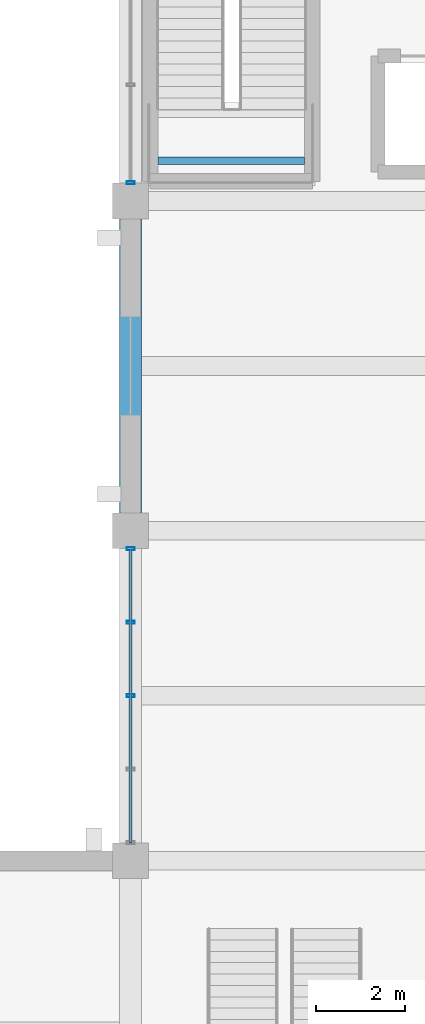
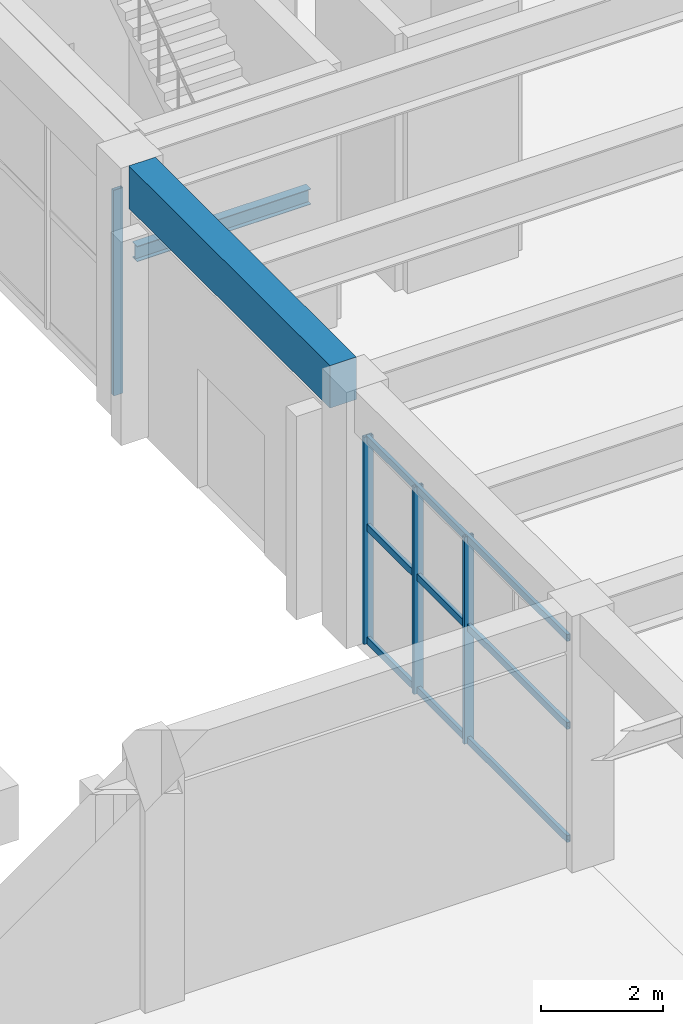
# One storey, part 39 of 140: 7 members, 2 beams, 2 elements without a shape of their own.
"""IFC4 building model written with IfcOpenShell, lengths in metres."""

from ifc_helpers import new_model, si_unit, direction, frame, origin, origin_2d, place, context, subcontext, project, spatial, rectangle, hollow_rectangle, i_section, extrude, material, material_profile, profile_set, type_object, element, aggregate, save


model = new_model("IFC4")

# Units and contexts
model_context = context("Model", 3, precision=1e-05, world=origin(), true_north=direction((0.0, 1.0)))
body_context = subcontext(model_context, "Body", "Model", "MODEL_VIEW")
ifc_project = project(units=[si_unit("LENGTHUNIT", "METRE"), si_unit("AREAUNIT", "SQUARE_METRE"), si_unit("VOLUMEUNIT", "CUBIC_METRE"), si_unit("PLANEANGLEUNIT", "RADIAN"), si_unit("MASSUNIT", "GRAM", prefix="KILO")], contexts=[model_context])

# Site, building, storey
site_placement = place(None, origin())
site = spatial("IfcSite", under=ifc_project, at=site_placement, CompositionType="ELEMENT")
building_placement = place(site_placement, origin())
building = spatial("IfcBuilding", under=site, at=building_placement, Name="Cimatlan Art Gallery", CompositionType="ELEMENT")
storey_placement = place(building_placement, origin())
storey = spatial("IfcBuildingStorey", under=building, at=storey_placement, Name="L00", CompositionType="ELEMENT", Elevation=0.0)

# Beams
ifc_material_1 = material(Name="Concrete C40/50", Category="concrete")
ifc_material_profile_1 = material_profile(ifc_material_1, rectangle(XDim=0.5, YDim=0.85009765625, at=origin_2d()), Name="RC500X850")
ifc_profile_set_1 = profile_set([ifc_material_profile_1], Name="Concrete C40/50")
beam_type_1 = type_object("IfcBeamType", Name="BM-RC-500X850", PredefinedType="BEAM", material=ifc_profile_set_1)
beam_1_placement = place(storey_placement, frame((74.89990234375, 53.89990234375, 4.7099609375), z_axis=(0.0, 1.0, 0.0), x_axis=(-1.0, 0.0, 0.0)))
element("IfcBeam", 1, at=beam_1_placement, inside=storey, type_object=beam_type_1, Name="BM-Y-L00-09-07", PredefinedType="BEAM", context=body_context, shape_type="SweptSolid", body=[
    extrude(rectangle(XDim=0.5, YDim=0.85009765625, at=origin_2d()), origin(), (0.0, 0.0, 1.0), 6.60009765625),
])
ifc_material_2 = material(Name="Steel ASTM A992 Grade 50", Category="steel")
ifc_material_profile_2 = material_profile(ifc_material_2, i_section(OverallWidth=0.1650390625, OverallDepth=0.31005859375, WebThickness=0.005859375, FlangeThickness=0.009765625, at=origin_2d()), Name="W12X26")
ifc_profile_set_2 = profile_set([ifc_material_profile_2], Name="Steel ASTM A992 Grade 50")
beam_type_2 = type_object("IfcBeamType", Name="BM-STL-W12X26", PredefinedType="JOIST", material=ifc_profile_set_2)
beam_2_placement = place(storey_placement, frame((75.514892578125, 61.800048828125, 2.324951171875), z_axis=(1.0, 0.0, 0.0), x_axis=(0.0, 1.0, 0.0)))
element("IfcBeam", 2, at=beam_2_placement, inside=storey, type_object=beam_type_2, Name="BM-STR-C6-L00-LH1", PredefinedType="JOIST", context=body_context, shape_type="SweptSolid", body=[
    extrude(i_section(OverallWidth=0.1650390625, OverallDepth=0.31005859375, WebThickness=0.005859375, FlangeThickness=0.009765625, at=origin_2d()), origin(), (0.0, 0.0, 1.0), 3.2900390625),
])

# Curtain wall, members
ifc_material_3 = material(Name="Anodised bronze unitised curtain wall")
curtain_wall_type_1 = type_object("IfcCurtainWallType", Name="CW-V-06592X04148-B4", PredefinedType="NOTDEFINED", material=ifc_material_3)
curtain_wall_1_placement = place(storey_placement, origin())
curtain_wall_1 = element("IfcCurtainWall", 3, at=curtain_wall_1_placement, inside=storey, type_object=curtain_wall_type_1, Name="CW-L00-09-06-W", PredefinedType="NOTDEFINED")
ifc_material_4 = material(Name="Anodised bronze aluminium 6063-T6", Category="aluminium")
ifc_material_profile_3 = material_profile(ifc_material_4, hollow_rectangle(XDim=0.06494140625, YDim=0.179931640625, WallThickness=0.00390625, at=origin_2d()), Name="ALU65X180X4")
ifc_profile_set_3 = profile_set([ifc_material_profile_3], Name="Anodised bronze aluminium 6063-T6")
member_type_1 = type_object("IfcMemberType", Name="CW-MUL-180", PredefinedType="MULLION", material=ifc_profile_set_3)
member_1_placement = place(storey_placement, frame((74.89990234375, 49.800048828125, 0.0), z_axis=(0.0, 0.0, 1.0), x_axis=(0.0, 1.0, 0.0)))
member_1 = element("IfcMember", 4, at=member_1_placement, type_object=member_type_1, Name="CW-L00-09-06-W-M3", PredefinedType="MULLION", context=body_context, shape_type="SweptSolid", body=[
    extrude(hollow_rectangle(XDim=0.06494140625, YDim=0.179931640625, WallThickness=0.00390625, at=origin_2d()), origin(), (0.0, 0.0, 1.0), 4.14794921875),
])
member_2_placement = place(storey_placement, frame((74.89990234375, 51.447998046875, 0.0), z_axis=(0.0, 0.0, 1.0), x_axis=(0.0, 1.0, 0.0)))
member_2 = element("IfcMember", 5, at=member_2_placement, type_object=member_type_1, Name="CW-L00-09-06-W-M4", PredefinedType="MULLION", context=body_context, shape_type="SweptSolid", body=[
    extrude(hollow_rectangle(XDim=0.06494140625, YDim=0.179931640625, WallThickness=0.00390625, at=origin_2d()), origin(), (0.0, 0.0, 1.0), 4.14794921875),
])
member_3_placement = place(storey_placement, frame((74.89990234375, 53.095947265625, 0.0), z_axis=(0.0, 0.0, 1.0), x_axis=(0.0, 1.0, 0.0)))
member_3 = element("IfcMember", 6, at=member_3_placement, type_object=member_type_1, Name="CW-L00-09-06-W-M5", PredefinedType="MULLION", context=body_context, shape_type="SweptSolid", body=[
    extrude(hollow_rectangle(XDim=0.06494140625, YDim=0.179931640625, WallThickness=0.00390625, at=origin_2d()), origin(), (0.0, 0.0, 1.0), 4.14794921875),
])

# Curtain wall, member
curtain_wall_type_2 = type_object("IfcCurtainWallType", Name="CW-V-06592X04118-B3", PredefinedType="NOTDEFINED", material=ifc_material_3)
curtain_wall_2_placement = place(storey_placement, origin())
curtain_wall_2 = element("IfcCurtainWall", 7, at=curtain_wall_2_placement, inside=storey, type_object=curtain_wall_type_2, Name="CW-L00-09-08-W", PredefinedType="NOTDEFINED")
member_4_placement = place(storey_placement, frame((74.89990234375, 61.303955078125, 0.0), z_axis=(0.0, 0.0, 1.0), x_axis=(0.0, 1.0, 0.0)))
member_4 = element("IfcMember", 8, at=member_4_placement, type_object=member_type_1, Name="CW-L00-09-08-W-M1", PredefinedType="MULLION", context=body_context, shape_type="SweptSolid", body=[
    extrude(hollow_rectangle(XDim=0.06494140625, YDim=0.179931640625, WallThickness=0.00390625, at=origin_2d()), origin(), (0.0, 0.0, 1.0), 4.117919921875),
])
aggregate(curtain_wall_2, [member_4])

# Member
ifc_material_profile_4 = material_profile(ifc_material_4, hollow_rectangle(XDim=0.06494140625, YDim=0.139892578125, WallThickness=0.00390625, at=origin_2d()), Name="ALU65X140X4")
ifc_profile_set_4 = profile_set([ifc_material_profile_4], Name="Anodised bronze aluminium 6063-T6")
member_type_2 = type_object("IfcMemberType", Name="CW-TRN-140", PredefinedType="USERDEFINED", material=ifc_profile_set_4)
member_5_placement = place(storey_placement, frame((74.89990234375, 46.50390625, 0.06005859375), z_axis=(0.0, 1.0, 0.0), x_axis=(-1.0, 0.0, 0.0)))
member_5 = element("IfcMember", 9, at=member_5_placement, type_object=member_type_2, Name="CW-L00-09-06-W-T1", ObjectType="TRANSOM", PredefinedType="USERDEFINED", context=body_context, shape_type="SweptSolid", body=[
    extrude(hollow_rectangle(XDim=0.06494140625, YDim=0.139892578125, WallThickness=0.00390625, at=origin_2d()), origin(), (0.0, 0.0, 1.0), 6.592041015625),
])

member_6_placement = place(storey_placement, frame((74.89990234375, 46.50390625, 2.322998046875), z_axis=(0.0, 1.0, 0.0), x_axis=(-1.0, 0.0, 0.0)))
member_6 = element("IfcMember", 10, at=member_6_placement, type_object=member_type_2, Name="CW-L00-09-06-W-T2", ObjectType="TRANSOM", PredefinedType="USERDEFINED", context=body_context, shape_type="SweptSolid", body=[
    extrude(hollow_rectangle(XDim=0.06494140625, YDim=0.139892578125, WallThickness=0.00390625, at=origin_2d()), origin(), (0.0, 0.0, 1.0), 6.592041015625),
])

member_7_placement = place(storey_placement, frame((74.89990234375, 46.50390625, 4.087890625), z_axis=(0.0, 1.0, 0.0), x_axis=(-1.0, 0.0, 0.0)))
member_7 = element("IfcMember", 11, at=member_7_placement, type_object=member_type_2, Name="CW-L00-09-06-W-T3", ObjectType="TRANSOM", PredefinedType="USERDEFINED", context=body_context, shape_type="SweptSolid", body=[
    extrude(hollow_rectangle(XDim=0.06494140625, YDim=0.139892578125, WallThickness=0.00390625, at=origin_2d()), origin(), (0.0, 0.0, 1.0), 6.592041015625),
])

aggregate(curtain_wall_1, [member_1, member_2, member_3, member_5, member_6, member_7])

save(model, "model.ifc")
